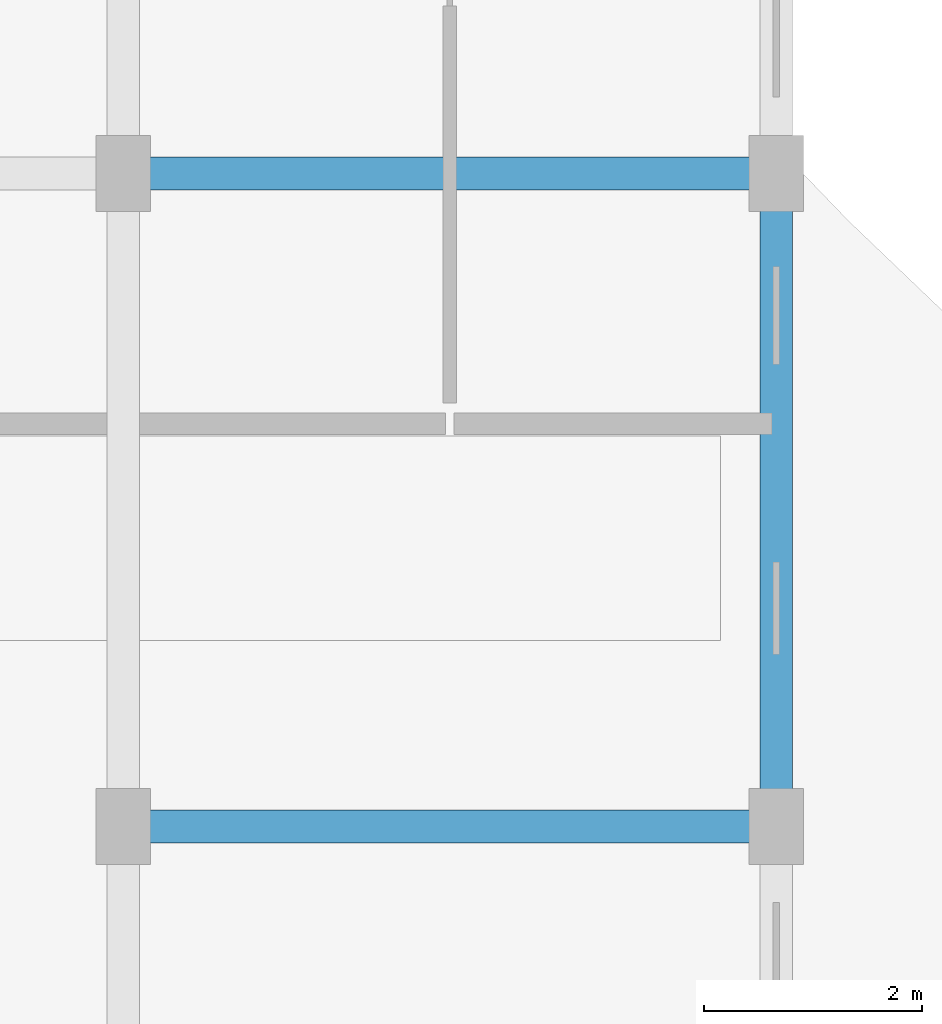
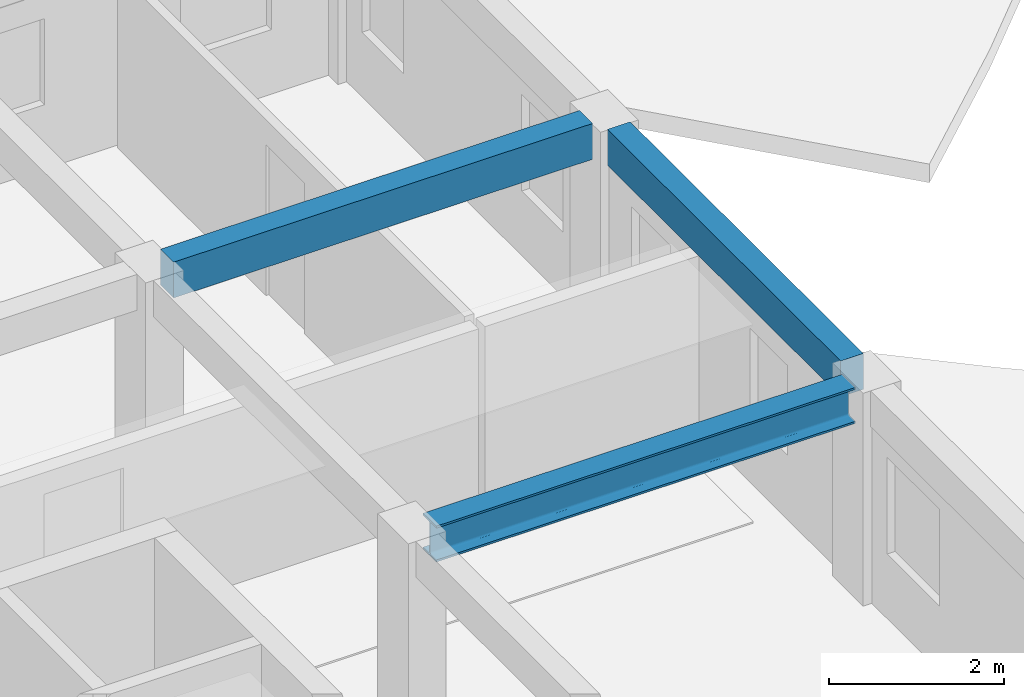
# One storey, part 5 of 58: 3 beams.
"""IFC4 building model written with IfcOpenShell, lengths in metres."""

from ifc_helpers import new_model, si_unit, direction, frame, origin, origin_2d, place, context, subcontext, project, spatial, rectangle, i_section, extrude, material, material_profile, profile_set, type_object, element, save


model = new_model("IFC4")

# Units and contexts
model_context = context("Model", 3, precision=1e-05, world=origin(), true_north=direction((0.0, 1.0)))
body_context = subcontext(model_context, "Body", "Model", "MODEL_VIEW")
ifc_project = project(units=[si_unit("LENGTHUNIT", "METRE"), si_unit("AREAUNIT", "SQUARE_METRE"), si_unit("VOLUMEUNIT", "CUBIC_METRE"), si_unit("PLANEANGLEUNIT", "RADIAN"), si_unit("MASSUNIT", "GRAM", prefix="KILO"), si_unit("POWERUNIT", "WATT"), si_unit("THERMODYNAMICTEMPERATUREUNIT", "KELVIN")], contexts=[model_context])

# Site, building, storey
site_placement = place(None, origin())
site = spatial("IfcSite", under=ifc_project, at=site_placement, CompositionType="ELEMENT")
building_placement = place(site_placement, origin())
building = spatial("IfcBuilding", under=site, at=building_placement, Name="Ruvembo Vaulted Housing Court", CompositionType="ELEMENT")
storey_placement = place(building_placement, frame((0.0, 0.0, 20.5)))
storey = spatial("IfcBuildingStorey", under=building, at=storey_placement, Name="L06", CompositionType="ELEMENT", Elevation=20.5)

# Beams
ifc_material_1 = material(Name="Steel S355J2", Category="steel")
ifc_material_profile_1 = material_profile(ifc_material_1, i_section(OverallWidth=0.300048828125, OverallDepth=0.5, WebThickness=0.014404296875, FlangeThickness=0.028076171875, FilletRadius=0.027099609375, at=origin_2d()), Name="HEB 320")
ifc_profile_set_1 = profile_set([ifc_material_profile_1], Name="Steel S355J2")
beam_type_1 = type_object("IfcBeamType", Name="BM-ST-HEB320", PredefinedType="BEAM", material=ifc_profile_set_1)
beam_1_placement = place(storey_placement, frame((30.235107421875, 24.0, 2.676025390625), z_axis=(1.0, 0.0, 0.0), x_axis=(0.0, 1.0, 0.0)))
element("IfcBeam", 1, at=beam_1_placement, inside=storey, type_object=beam_type_1, Name="L06 Grid Beam X #2582", PredefinedType="BEAM", context=body_context, shape_type="SweptSolid", body=[
    extrude(i_section(OverallWidth=0.300048828125, OverallDepth=0.5, WebThickness=0.014404296875, FlangeThickness=0.028076171875, FilletRadius=0.027099609375, at=origin_2d()), origin(), (0.0, 0.0, 1.0), 5.52978515625),
])
ifc_material_2 = material(Name="Concrete C35/45", Category="concrete")
ifc_material_profile_2 = material_profile(ifc_material_2, rectangle(XDim=0.300048828125, YDim=0.5, at=origin_2d()), Name="RC 300x500")
ifc_profile_set_2 = profile_set([ifc_material_profile_2], Name="Concrete C35/45")
beam_type_2 = type_object("IfcBeamType", Name="SP-RC-300x500", PredefinedType="SPANDREL", material=ifc_profile_set_2)
beam_2_placement = place(storey_placement, frame((30.235107421875, 30.0, 2.719970703125), z_axis=(1.0, 0.0, 0.0), x_axis=(0.0, 1.0, 0.0)))
element("IfcBeam", 2, at=beam_2_placement, inside=storey, type_object=beam_type_2, Name="L06 Grid Beam X #2593", PredefinedType="SPANDREL", context=body_context, shape_type="SweptSolid", body=[
    extrude(rectangle(XDim=0.300048828125, YDim=0.5, at=origin_2d()), origin(), (0.0, 0.0, 1.0), 5.52978515625),
])
beam_3_placement = place(storey_placement, frame((36.0, 24.3349609375, 2.719970703125), z_axis=(0.0, 1.0, 0.0), x_axis=(-1.0, 0.0, 0.0)))
element("IfcBeam", 3, at=beam_3_placement, inside=storey, type_object=beam_type_2, Name="L06 Grid Beam Y #2693", PredefinedType="SPANDREL", context=body_context, shape_type="SweptSolid", body=[
    extrude(rectangle(XDim=0.300048828125, YDim=0.5, at=origin_2d()), origin(), (0.0, 0.0, 1.0), 5.330078125),
])

save(model, "model.ifc")
